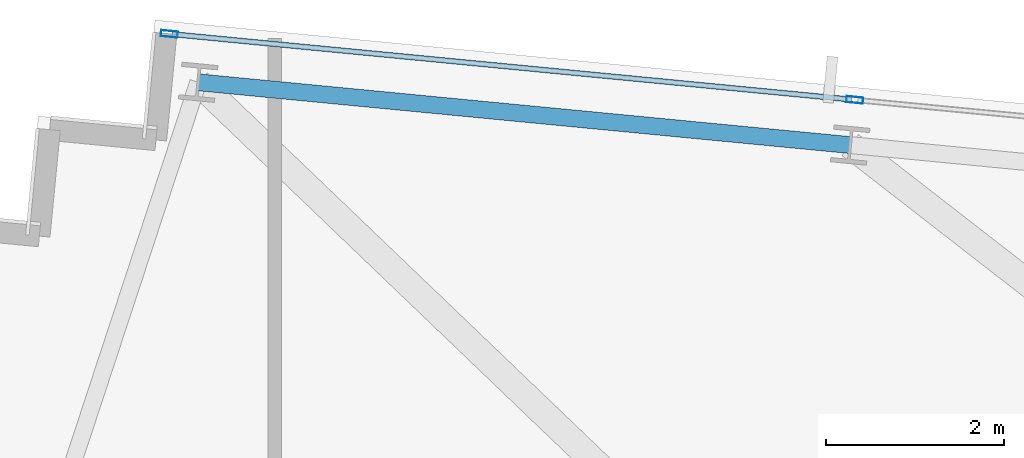
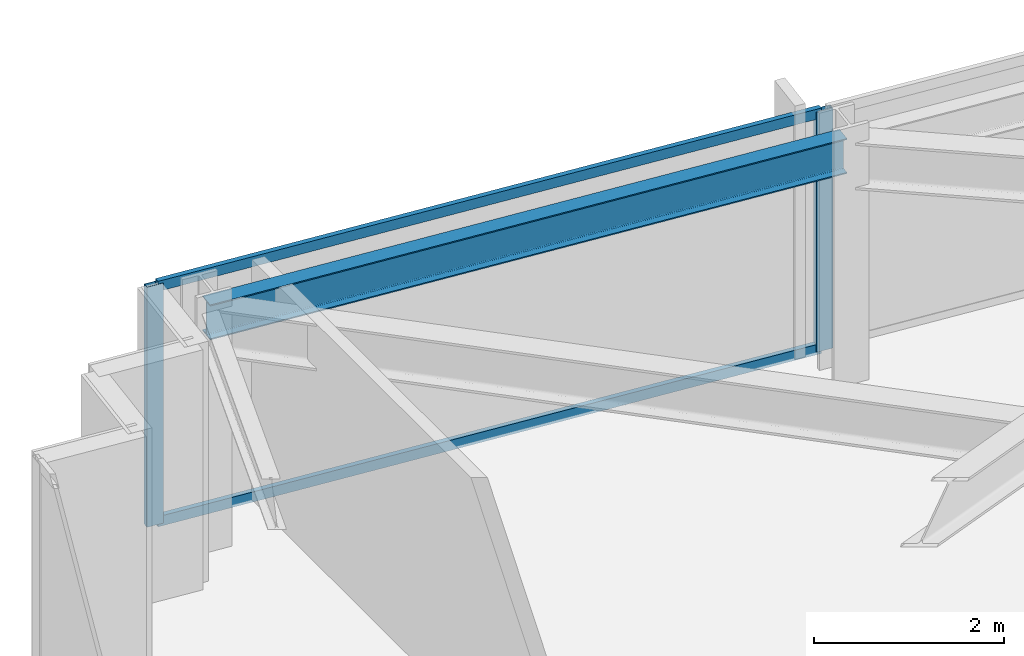
# One storey, part 23 of 37: 4 members, 1 beam, 1 element without a shape of its own.
"""IFC4 building model written with IfcOpenShell, lengths in metres."""

import ifcopenshell
import ifcopenshell.guid

model = None  # the IFC model being written
_history = None  # IfcOwnerHistory: only IFC2X3 demands one
_inside = {}  # id of a spatial element -> (the spatial element, [elements in it])
_under = {}  # id of a project, library or spatial element -> (it, [spatial elements below it])
_declared = {}  # id of a project -> (the project, [libraries it declares])
_typed = {}  # id of a type object -> (the type object, [elements of that type])
_made_of = {}  # id of a material, layer set ... -> (it, [elements and type objects made of it])


def new_model(schema):
    """Start an empty IFC model of exactly this schema.

    Asked for "IFC4X3", IfcOpenShell would pick the latest addendum, in which some entities
    have other attributes; the version numbers below select the first issue.
    IFC2X3 requires an IfcOwnerHistory on every rooted entity: one is made here for all.
    """
    global model, _history
    if schema == "IFC4X3":
        model = ifcopenshell.file(schema_version=(4, 3, 0, 0))
    else:
        model = ifcopenshell.file(schema=schema)
    _inside.clear()
    _under.clear()
    _declared.clear()
    _typed.clear()
    _made_of.clear()
    _history = None
    if model.schema == "IFC2X3":
        org = make("IfcOrganization", Name="unknown")
        user = make(
            "IfcPersonAndOrganization",
            ThePerson=make("IfcPerson", FamilyName="unknown"),
            TheOrganization=org,
        )
        app = make(
            "IfcApplication",
            ApplicationDeveloper=org,
            Version="unknown",
            ApplicationFullName="unknown",
            ApplicationIdentifier="unknown",
        )
        _history = make(
            "IfcOwnerHistory",
            OwningUser=user,
            OwningApplication=app,
            ChangeAction="ADDED",
            CreationDate=0,
        )
    return model


def make(cls, **values):
    """One entity of the class cls with the attributes given. An attribute that is None is left unset."""
    return model.create_entity(
        cls, **{name: value for name, value in values.items() if value is not None}
    )


def rooted(cls, **values):
    """An entity with a GlobalId (a new one), such as an element, a storey or a relation."""
    return make(cls, GlobalId=ifcopenshell.guid.new(), OwnerHistory=_history, **values)


def si_unit(unit_type, name, prefix=None):
    """IfcSIUnit, for example si_unit("LENGTHUNIT", "METRE", prefix="MILLI")."""
    return make("IfcSIUnit", UnitType=unit_type, Prefix=prefix, Name=name)


def assignment(units):
    """IfcUnitAssignment: the units of a project."""
    return None if units is None else make("IfcUnitAssignment", Units=units)


def point(xyz):
    """IfcCartesianPoint."""
    return None if xyz is None else make("IfcCartesianPoint", Coordinates=xyz)


def direction(xyz):
    """IfcDirection."""
    return None if xyz is None else make("IfcDirection", DirectionRatios=xyz)


def frame(location, z_axis=None, x_axis=None):
    """IfcAxis2Placement3D, a coordinate frame: its origin and axes. An axis left out is left unset."""
    return make(
        "IfcAxis2Placement3D",
        Location=point(location),
        Axis=direction(z_axis),
        RefDirection=direction(x_axis),
    )


def frame_2d(location, x_axis=None):
    """IfcAxis2Placement2D, a coordinate frame in the plane: its origin and x axis."""
    return make(
        "IfcAxis2Placement2D", Location=point(location), RefDirection=direction(x_axis)
    )


def origin():
    """The frame at (0, 0, 0) with its axes left unset."""
    return frame((0.0, 0.0, 0.0))


def origin_2d():
    """The frame at (0, 0) in the plane with its x axis left unset."""
    return frame_2d((0.0, 0.0))


def place(relative_to, where):
    """IfcLocalPlacement: puts the frame where relative to a parent placement (None: the world)."""
    return make(
        "IfcLocalPlacement", PlacementRelTo=relative_to, RelativePlacement=where
    )


def context(
    kind, dimensions, precision=None, world=None, true_north=None, identifier=None
):
    """IfcGeometricRepresentationContext, for example the 3D "Model" context."""
    return make(
        "IfcGeometricRepresentationContext",
        ContextIdentifier=identifier,
        ContextType=kind,
        CoordinateSpaceDimension=dimensions,
        Precision=precision,
        WorldCoordinateSystem=world,
        TrueNorth=true_north,
    )


def subcontext(parent, identifier, kind, view, scale=None):
    """IfcGeometricRepresentationSubContext, for example "Body" below "Model"."""
    return make(
        "IfcGeometricRepresentationSubContext",
        ContextIdentifier=identifier,
        ContextType=kind,
        ParentContext=parent,
        TargetScale=scale,
        TargetView=view,
    )


def project(units=None, contexts=None):
    """IfcProject with its units and contexts."""
    return rooted(
        "IfcProject",
        Name="project",
        RepresentationContexts=contexts,
        UnitsInContext=assignment(units),
    )


def spatial(cls, under=None, at=None, **own):
    """A site, building, storey or space (cls), placed at a placement, below another one or the project."""
    s = rooted(cls, ObjectPlacement=at, **own)
    if under is not None:
        _under.setdefault(under.id(), (under, []))[1].append(s)
    return s


def profile(cls, at=None, kind="AREA", **sizes):
    """A parametric profile (cls). Its sizes go by their IFC names, for example OverallWidth=200.0."""
    return make(cls, ProfileType=kind, Position=at, **sizes)


def hollow_rectangle(**sizes):
    """IfcRectangleHollowProfileDef."""
    return profile("IfcRectangleHollowProfileDef", **sizes)


def i_section(**sizes):
    """IfcIShapeProfileDef."""
    return profile("IfcIShapeProfileDef", **sizes)


def extrude(swept, where, along, depth):
    """IfcExtrudedAreaSolid: the profile swept, set in the frame where, extruded along a direction by depth."""
    return make(
        "IfcExtrudedAreaSolid",
        SweptArea=swept,
        Position=where,
        ExtrudedDirection=direction(along),
        Depth=depth,
    )


def shape(context_of_items, identifier, shape_type, items):
    """IfcShapeRepresentation: the items that make up one representation, for example the "Body"."""
    return make(
        "IfcShapeRepresentation",
        ContextOfItems=context_of_items,
        RepresentationIdentifier=identifier,
        RepresentationType=shape_type,
        Items=items,
    )


def material(Name=None, Category=None):
    """IfcMaterial."""
    return make("IfcMaterial", Name=Name, Category=Category)


def material_profile(
    of_material, cross_section, Name=None, Category=None, Priority=None
):
    """IfcMaterialProfile: a cross section and its material."""
    return make(
        "IfcMaterialProfile",
        Name=Name,
        Material=of_material,
        Profile=cross_section,
        Priority=Priority,
        Category=Category,
    )


def profile_set(profiles, Name=None, composite=None):
    """IfcMaterialProfileSet."""
    return make(
        "IfcMaterialProfileSet",
        Name=Name,
        MaterialProfiles=profiles,
        CompositeProfile=composite,
    )


def made_of(thing, what):
    """Note that an element or type object is made of a material, layer set ...; save() writes the relation."""
    if what is not None:
        _made_of.setdefault(what.id(), (what, []))[1].append(thing)
    return thing


def type_object(cls, material=None, **own):
    """A type object (cls), such as IfcWallType, which elements share."""
    return made_of(rooted(cls, **own), material)


def element(
    cls,
    number,
    at=None,
    inside=None,
    cuts=None,
    type_object=None,
    material=None,
    context=None,
    identifier="Body",
    shape_type=None,
    held_by="IfcProductDefinitionShape",
    body=None,
    shapes=None,
    **own,
):
    """One element of the class cls, such as IfcWall. Its Tag is "e" and its number.

    at: its placement. inside: the storey or other place that contains it. cuts: it is an
    opening in that element (IfcRelVoidsElement). A single representation is given by context,
    identifier, shape_type and body (its items); several are given by shapes. held_by: the class
    of the entity that holds the representations. save() writes the other relations.
    """
    e = rooted(cls, Tag="e%d" % number, ObjectPlacement=at, **own)
    if body is not None:
        shapes = [shape(context, identifier, shape_type, body)]
    if shapes is not None:
        e.Representation = make(held_by, Representations=shapes)
    if inside is not None:
        _inside.setdefault(inside.id(), (inside, []))[1].append(e)
    if cuts is not None:
        rooted(
            "IfcRelVoidsElement", RelatingBuildingElement=cuts, RelatedOpeningElement=e
        )
    if type_object is not None:
        _typed.setdefault(type_object.id(), (type_object, []))[1].append(e)
    return made_of(e, material)


def aggregate(whole, parts):
    """IfcRelAggregates: a whole, such as a stair, and the parts it consists of."""
    return rooted("IfcRelAggregates", RelatingObject=whole, RelatedObjects=parts)


def save(model, path):
    """Write the relations noted so far, then the file.

    IfcRelAggregates (storeys below a building ...), IfcRelContainedInSpatialStructure (elements
    in a storey), IfcRelDefinesByType, IfcRelAssociatesMaterial and IfcRelDeclares: one each for
    every whole, place, type object, material and project.
    """
    for whole, parts in _under.values():
        aggregate(whole, parts)
    for where, things in _inside.values():
        rooted(
            "IfcRelContainedInSpatialStructure",
            RelatedElements=things,
            RelatingStructure=where,
        )
    for kind, things in _typed.values():
        rooted("IfcRelDefinesByType", RelatedObjects=things, RelatingType=kind)
    for what, things in _made_of.values():
        rooted("IfcRelAssociatesMaterial", RelatedObjects=things, RelatingMaterial=what)
    for by, libraries in _declared.values():
        rooted("IfcRelDeclares", RelatingContext=by, RelatedDefinitions=libraries)
    model.write(path)


model = new_model("IFC4")

# Units and contexts
model_context = context("Model", 3, precision=1e-05, world=origin(), true_north=direction((0.0, 1.0)))
body_context = subcontext(model_context, "Body", "Model", "MODEL_VIEW")
ifc_project = project(units=[si_unit("LENGTHUNIT", "METRE"), si_unit("AREAUNIT", "SQUARE_METRE"), si_unit("VOLUMEUNIT", "CUBIC_METRE"), si_unit("PLANEANGLEUNIT", "RADIAN"), si_unit("MASSUNIT", "GRAM", prefix="KILO")], contexts=[model_context])

# Site, building, storey
site_placement = place(None, origin())
site = spatial("IfcSite", under=ifc_project, at=site_placement, CompositionType="ELEMENT")
building_placement = place(site_placement, origin())
building = spatial("IfcBuilding", under=site, at=building_placement, Name="Yelkora Congress Tower", CompositionType="ELEMENT")
storey_placement = place(building_placement, frame((0.0, 0.0, 149.0)))
storey = spatial("IfcBuildingStorey", under=building, at=storey_placement, Name="L40", CompositionType="ELEMENT", Elevation=149.0)

# Beam
ifc_material_1 = material(Name="Steel S355J2", Category="steel")
ifc_material_profile_1 = material_profile(ifc_material_1, i_section(OverallWidth=0.18994140625, OverallDepth=0.449951171875, WebThickness=0.009521484375, FlangeThickness=0.0146484375, FilletRadius=0.02099609375, at=origin_2d()), Name="IPE 450")
ifc_profile_set_1 = profile_set([ifc_material_profile_1], Name="Steel S355J2")
beam_type = type_object("IfcBeamType", Name="BM-SPAN-IPE450", PredefinedType="SPANDREL", material=ifc_profile_set_1)
beam_placement = place(storey_placement, frame((14.712158203125, 49.685546875, 2.85498046875), z_axis=(-0.995397104697, 0.095836339457, 0.0), x_axis=(-0.095836339457, -0.995397104697, 0.0)))
element("IfcBeam", 1, at=beam_placement, inside=storey, type_object=beam_type, Name="L40 Perimeter Beam 15", PredefinedType="SPANDREL", context=body_context, shape_type="SweptSolid", body=[
    extrude(i_section(OverallWidth=0.18994140625, OverallDepth=0.449951171875, WebThickness=0.009521484375, FlangeThickness=0.0146484375, FilletRadius=0.02099609375, at=origin_2d()), origin(), (0.0, 0.0, 1.0), 7.357177734375),
])

# Curtain wall, members
ifc_material_2 = material(Name="Anodised aluminium and insulated glass", Category="aluminium")
curtain_wall_type = type_object("IfcCurtainWallType", Name="CW-SYS-B3", PredefinedType="NOTDEFINED", material=ifc_material_2)
curtain_wall_placement = place(storey_placement, origin())
curtain_wall = element("IfcCurtainWall", 2, at=curtain_wall_placement, inside=storey, type_object=curtain_wall_type, Name="L40 Unitised Curtain Wall 10 (1)", PredefinedType="NOTDEFINED")
ifc_material_3 = material(Name="Anodised aluminium 6063-T6", Category="aluminium")
ifc_material_profile_2 = material_profile(ifc_material_3, hollow_rectangle(XDim=0.070068359375, YDim=0.18994140625, WallThickness=0.00390625, at=origin_2d()), Name="ALU 70x190x4")
ifc_profile_set_2 = profile_set([ifc_material_profile_2], Name="Anodised aluminium 6063-T6")
member_type_1 = type_object("IfcMemberType", Name="MEM-ML-B3", PredefinedType="MULLION", material=ifc_profile_set_2)
member_1_placement = place(storey_placement, frame((7.064453125, 50.934326171875, 0.0), z_axis=(0.0, 0.0, 1.0), x_axis=(0.095844524462, 0.995396316615, 0.0)))
member_1 = element("IfcMember", 3, at=member_1_placement, type_object=member_type_1, Name="CW-B3 mullion 1", PredefinedType="MULLION", context=body_context, shape_type="SweptSolid", body=[
    extrude(hollow_rectangle(XDim=0.070068359375, YDim=0.18994140625, WallThickness=0.00390625, at=origin_2d()), origin(), (0.0, 0.0, 1.0), 3.080078125),
])
member_2_placement = place(storey_placement, frame((14.7626953125, 50.193115234375, 0.0), z_axis=(0.0, 0.0, 1.0), x_axis=(0.095844524462, 0.995396316615, 0.0)))
member_2 = element("IfcMember", 4, at=member_2_placement, type_object=member_type_1, Name="CW-B3 mullion 2", PredefinedType="MULLION", context=body_context, shape_type="SweptSolid", body=[
    extrude(hollow_rectangle(XDim=0.070068359375, YDim=0.18994140625, WallThickness=0.00390625, at=origin_2d()), origin(), (0.0, 0.0, 1.0), 3.080078125),
])
ifc_material_profile_3 = material_profile(ifc_material_3, hollow_rectangle(XDim=0.06005859375, YDim=0.1298828125, WallThickness=0.00390625, at=origin_2d()), Name="ALU 60x130x4")
ifc_profile_set_3 = profile_set([ifc_material_profile_3], Name="Anodised aluminium 6063-T6")
member_type_2 = type_object("IfcMemberType", Name="MEM-TR-B3", PredefinedType="USERDEFINED", material=ifc_profile_set_3)
member_3_placement = place(storey_placement, frame((7.099365234375, 50.930908203125, 0.030029296875), z_axis=(0.995395127265, -0.095856875694, 0.0), x_axis=(0.095856875694, 0.995395127265, 0.0)))
member_3 = element("IfcMember", 5, at=member_3_placement, type_object=member_type_2, Name="CW-B3 transom 1.1", ObjectType="TRANSOM", PredefinedType="USERDEFINED", context=body_context, shape_type="SweptSolid", body=[
    extrude(hollow_rectangle(XDim=0.06005859375, YDim=0.1298828125, WallThickness=0.00390625, at=origin_2d()), origin(), (0.0, 0.0, 1.0), 7.663818359375),
])
member_4_placement = place(storey_placement, frame((7.099365234375, 50.930908203125, 3.050048828125), z_axis=(0.995395127265, -0.095856875694, 0.0), x_axis=(0.095856875694, 0.995395127265, 0.0)))
member_4 = element("IfcMember", 6, at=member_4_placement, type_object=member_type_2, Name="CW-B3 transom 1.2", ObjectType="TRANSOM", PredefinedType="USERDEFINED", context=body_context, shape_type="SweptSolid", body=[
    extrude(hollow_rectangle(XDim=0.06005859375, YDim=0.1298828125, WallThickness=0.00390625, at=origin_2d()), origin(), (0.0, 0.0, 1.0), 7.663818359375),
])
aggregate(curtain_wall, [member_1, member_2, member_3, member_4])

save(model, "model.ifc")
